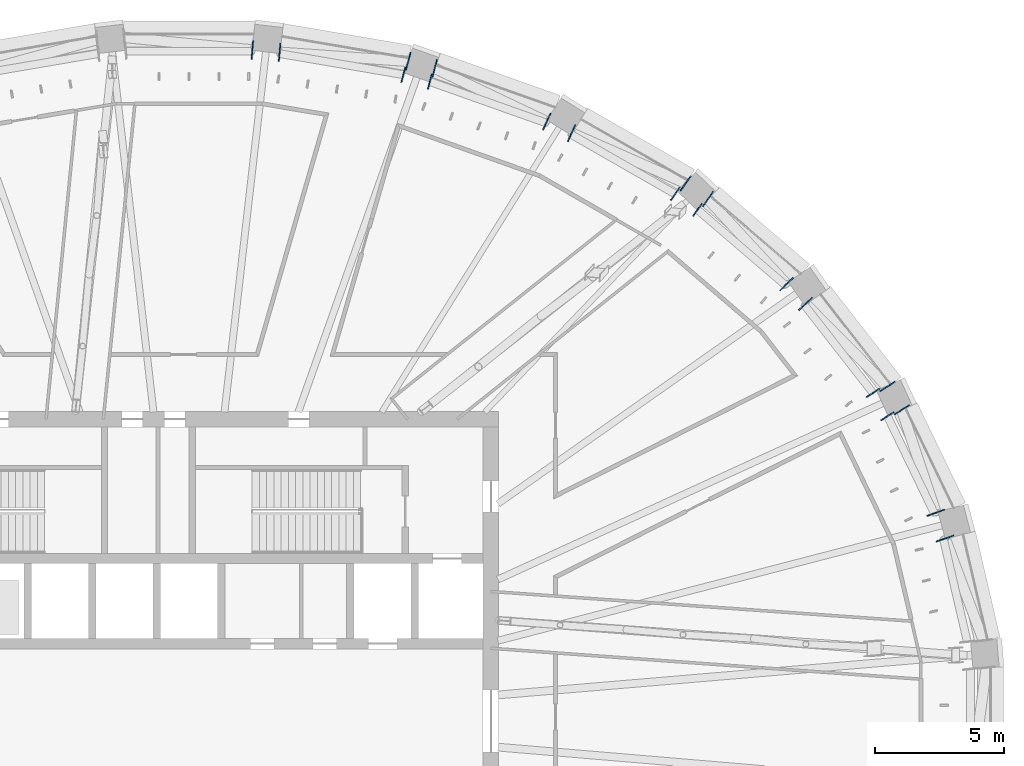
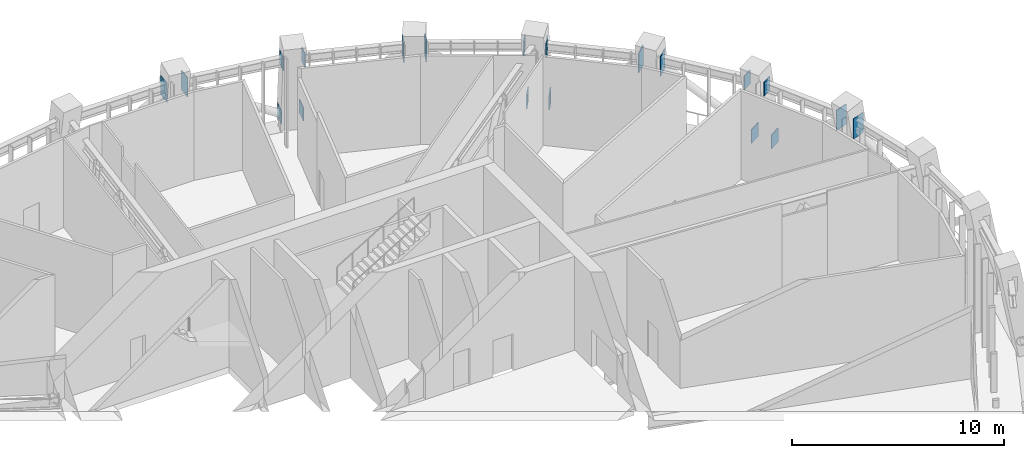
# One storey, part 15 of 20: 20 discrete accessories.
"""IFC4 building model written with IfcOpenShell, lengths in metres."""

from ifc_helpers import new_model, si_unit, direction, frame, origin, origin_2d, place, context, subcontext, project, spatial, rectangle, extrude, material, layer, layer_set, type_object, element, save


model = new_model("IFC4")

# Units and contexts
model_context = context("Model", 3, precision=1e-05, world=origin(), true_north=direction((0.0, 1.0)))
body_context = subcontext(model_context, "Body", "Model", "MODEL_VIEW")
ifc_project = project(units=[si_unit("LENGTHUNIT", "METRE"), si_unit("AREAUNIT", "SQUARE_METRE"), si_unit("VOLUMEUNIT", "CUBIC_METRE"), si_unit("PLANEANGLEUNIT", "RADIAN"), si_unit("MASSUNIT", "GRAM", prefix="KILO")], contexts=[model_context])

# Site, building, storey
site_placement = place(None, origin())
site = spatial("IfcSite", under=ifc_project, at=site_placement, CompositionType="ELEMENT")
building_placement = place(site_placement, origin())
building = spatial("IfcBuilding", under=site, at=building_placement, Name="Halqa Exchange Tower", CompositionType="ELEMENT")
storey_placement = place(building_placement, frame((0.0, 0.0, 250.89990234375)))
storey = spatial("IfcBuildingStorey", under=building, at=storey_placement, Name="L58", CompositionType="ELEMENT", Elevation=250.89990234375)

# Discrete accessories
ifc_material = material(Name="Steel S355", Category="steel")
ifc_layer = layer(ifc_material, 0.0400390625)
ifc_layer_set = layer_set([ifc_layer], Name="Steel S355")
discrete_accessory_type = type_object("IfcDiscreteAccessoryType", Name="Belt truss anchor plate 40", PredefinedType="ANCHORPLATE", material=ifc_layer_set)
discrete_accessory_1_placement = place(storey_placement, frame((28.945556640625, 8.051513671875, 4.06494140625), z_axis=(-0.336336396998, 0.941741911595, 0.0), x_axis=(-0.941741911595, -0.336336396998, 0.0)))
element("IfcDiscreteAccessory", 1, at=discrete_accessory_1_placement, inside=storey, type_object=discrete_accessory_type, Name="Belt truss anchor plate", PredefinedType="ANCHORPLATE", context=body_context, shape_type="SweptSolid", body=[
    extrude(rectangle(XDim=0.719970703125, YDim=1.169921875, at=origin_2d()), origin(), (0.0, 0.0, 1.0), 0.0400390625),
])
discrete_accessory_2_placement = place(storey_placement, frame((29.285400390625, 7.089599609375, 4.06591796875), z_axis=(0.330896267797, -0.943667134088, 0.0), x_axis=(0.943667134088, 0.330896267797, 0.0)))
element("IfcDiscreteAccessory", 2, at=discrete_accessory_2_placement, inside=storey, type_object=discrete_accessory_type, Name="Belt truss anchor plate", PredefinedType="ANCHORPLATE", context=body_context, shape_type="SweptSolid", body=[
    extrude(rectangle(XDim=0.720947265625, YDim=1.1689453125, at=origin_2d()), origin(), (0.0, 0.0, 1.0), 0.039794921875),
])
discrete_accessory_3_placement = place(storey_placement, frame((26.514892578125, 12.696533203125, 4.25), z_axis=(-0.530546985787, 0.847655529016, 0.0), x_axis=(-0.847655529016, -0.530546985787, 0.0)))
element("IfcDiscreteAccessory", 3, at=discrete_accessory_3_placement, inside=storey, type_object=discrete_accessory_type, Name="Belt truss anchor plate", PredefinedType="ANCHORPLATE", context=body_context, shape_type="SweptSolid", body=[
    extrude(rectangle(XDim=0.60009765625, YDim=0.800048828125, at=origin_2d()), origin(), (0.0, 0.0, 1.0), 0.0400390625),
])
discrete_accessory_4_placement = place(storey_placement, frame((27.05322265625, 11.830078125, 4.25), z_axis=(0.533300923376, -0.845925602596, 0.0), x_axis=(0.845925602596, 0.533300923376, 0.0)))
element("IfcDiscreteAccessory", 4, at=discrete_accessory_4_placement, inside=storey, type_object=discrete_accessory_type, Name="Belt truss anchor plate", PredefinedType="ANCHORPLATE", context=body_context, shape_type="SweptSolid", body=[
    extrude(rectangle(XDim=0.60009765625, YDim=0.800048828125, at=origin_2d()), origin(), (0.0, 0.0, 1.0), 0.039794921875),
])
discrete_accessory_5_placement = place(storey_placement, frame((27.0791015625, 12.947021484375, 0.859619140625), z_axis=(-0.530546985787, 0.847655529016, 0.0), x_axis=(-0.847655529016, -0.530546985787, 0.0)))
element("IfcDiscreteAccessory", 5, at=discrete_accessory_5_placement, inside=storey, type_object=discrete_accessory_type, Name="Belt truss anchor plate", PredefinedType="ANCHORPLATE", context=body_context, shape_type="SweptSolid", body=[
    extrude(rectangle(XDim=0.694091796875, YDim=0.7900390625, at=origin_2d()), origin(), (0.0, 0.0, 1.0), 0.0400390625),
])
discrete_accessory_6_placement = place(storey_placement, frame((27.615478515625, 12.07958984375, 0.88232421875), z_axis=(0.530546985787, -0.847655529016, 0.0), x_axis=(0.847655529016, 0.530546985787, 0.0)))
element("IfcDiscreteAccessory", 6, at=discrete_accessory_6_placement, inside=storey, type_object=discrete_accessory_type, Name="Belt truss anchor plate", PredefinedType="ANCHORPLATE", context=body_context, shape_type="SweptSolid", body=[
    extrude(rectangle(XDim=0.68603515625, YDim=0.799072265625, at=origin_2d()), origin(), (0.0, 0.0, 1.0), 0.0400390625),
])
discrete_accessory_7_placement = place(storey_placement, frame((23.16845703125, 16.9150390625, 4.07666015625), z_axis=(-0.691639439628, 0.722242954656, 0.0), x_axis=(-0.722242954656, -0.691639439628, 0.0)))
element("IfcDiscreteAccessory", 7, at=discrete_accessory_7_placement, inside=storey, type_object=discrete_accessory_type, Name="Belt truss anchor plate", PredefinedType="ANCHORPLATE", context=body_context, shape_type="SweptSolid", body=[
    extrude(rectangle(XDim=0.712890625, YDim=1.14697265625, at=origin_2d()), origin(), (0.0, 0.0, 1.0), 0.039794921875),
])
discrete_accessory_8_placement = place(storey_placement, frame((23.873291015625, 16.177734375, 4.07763671875), z_axis=(0.68858929503, -0.725151558483, 0.0), x_axis=(0.725151558483, 0.68858929503, 0.0)))
element("IfcDiscreteAccessory", 8, at=discrete_accessory_8_placement, inside=storey, type_object=discrete_accessory_type, Name="Belt truss anchor plate", PredefinedType="ANCHORPLATE", context=body_context, shape_type="SweptSolid", body=[
    extrude(rectangle(XDim=0.715087890625, YDim=1.14501953125, at=origin_2d()), origin(), (0.0, 0.0, 1.0), 0.0400390625),
])
for number, where, z_axis, x_axis, name in (
    (9, (18.855224609375, 20.41162109375, 4.25), (-0.815785116082, 0.57835511961, 0.0), (-0.57835511961, -0.815785116082, 0.0), "Belt truss anchor plate"),
    (10, (19.688720703125, 19.823486328125, 4.25), (0.81865747399, -0.57428210862, 0.0), (0.57428210862, 0.81865747399, 0.0), "Belt truss anchor plate"),
):
    element("IfcDiscreteAccessory", number, at=place(storey_placement, frame(where, z_axis=z_axis, x_axis=x_axis)), inside=storey, type_object=discrete_accessory_type, Name=name, PredefinedType="ANCHORPLATE", context=body_context, shape_type="SweptSolid", body=[
        extrude(rectangle(XDim=0.60009765625, YDim=0.800048828125, at=origin_2d()), origin(), (0.0, 0.0, 1.0), 0.0400390625),
    ])
discrete_accessory_9_placement = place(storey_placement, frame((19.263427734375, 20.825927734375, 0.8388671875), z_axis=(-0.81865747399, 0.57428210862, 0.0), x_axis=(-0.57428210862, -0.81865747399, 0.0)))
element("IfcDiscreteAccessory", 11, at=discrete_accessory_9_placement, inside=storey, type_object=discrete_accessory_type, Name="Belt truss anchor plate", PredefinedType="ANCHORPLATE", context=body_context, shape_type="SweptSolid", body=[
    extrude(rectangle(XDim=0.7060546875, YDim=0.781982421875, at=origin_2d()), origin(), (0.0, 0.0, 1.0), 0.0400390625),
])
discrete_accessory_10_placement = place(storey_placement, frame((20.095703125, 20.236083984375, 0.85986328125), z_axis=(0.81865747399, -0.57428210862, 0.0), x_axis=(0.57428210862, 0.81865747399, 0.0)))
element("IfcDiscreteAccessory", 12, at=discrete_accessory_10_placement, inside=storey, type_object=discrete_accessory_type, Name="Belt truss anchor plate", PredefinedType="ANCHORPLATE", context=body_context, shape_type="SweptSolid", body=[
    extrude(rectangle(XDim=0.699951171875, YDim=0.7900390625, at=origin_2d()), origin(), (0.0, 0.0, 1.0), 0.0400390625),
])
discrete_accessory_11_placement = place(storey_placement, frame((13.880859375, 23.217041015625, 4.087890625), z_axis=(-0.9097381412, 0.415182507393, 0.0), x_axis=(-0.415182507393, -0.9097381412, 0.0)))
element("IfcDiscreteAccessory", 13, at=discrete_accessory_11_placement, inside=storey, type_object=discrete_accessory_type, Name="Belt truss anchor plate", PredefinedType="ANCHORPLATE", context=body_context, shape_type="SweptSolid", body=[
    extrude(rectangle(XDim=0.70703125, YDim=1.125, at=origin_2d()), origin(), (0.0, 0.0, 1.0), 0.0400390625),
])
discrete_accessory_12_placement = place(storey_placement, frame((14.807861328125, 22.791748046875, 4.088623046875), z_axis=(0.9097381412, -0.415182507393, 0.0), x_axis=(0.415182507393, 0.9097381412, 0.0)))
element("IfcDiscreteAccessory", 14, at=discrete_accessory_12_placement, inside=storey, type_object=discrete_accessory_type, Name="Belt truss anchor plate", PredefinedType="ANCHORPLATE", context=body_context, shape_type="SweptSolid", body=[
    extrude(rectangle(XDim=0.7080078125, YDim=1.123046875, at=origin_2d()), origin(), (0.0, 0.0, 1.0), 0.0400390625),
])
discrete_accessory_13_placement = place(storey_placement, frame((8.32666015625, 25.039306640625, 4.25), z_axis=(-0.968324838627, 0.249693826313, 0.0), x_axis=(-0.249693826313, -0.968324838627, 0.0)))
element("IfcDiscreteAccessory", 15, at=discrete_accessory_13_placement, inside=storey, type_object=discrete_accessory_type, Name="Belt truss anchor plate", PredefinedType="ANCHORPLATE", context=body_context, shape_type="SweptSolid", body=[
    extrude(rectangle(XDim=0.60009765625, YDim=0.800048828125, at=origin_2d()), origin(), (0.0, 0.0, 1.0), 0.0400390625),
])
discrete_accessory_14_placement = place(storey_placement, frame((9.313720703125, 24.781982421875, 4.25), z_axis=(0.967941754644, -0.251174759116, 0.0), x_axis=(0.251174759116, 0.967941754644, 0.0)))
element("IfcDiscreteAccessory", 16, at=discrete_accessory_14_placement, inside=storey, type_object=discrete_accessory_type, Name="Belt truss anchor plate", PredefinedType="ANCHORPLATE", context=body_context, shape_type="SweptSolid", body=[
    extrude(rectangle(XDim=0.60009765625, YDim=0.800048828125, at=origin_2d()), origin(), (0.0, 0.0, 1.0), 0.039794921875),
])
discrete_accessory_15_placement = place(storey_placement, frame((8.514892578125, 25.55859375, 0.828125), z_axis=(-0.967941754644, 0.251174759116, 0.0), x_axis=(-0.251174759116, -0.967941754644, 0.0)))
element("IfcDiscreteAccessory", 17, at=discrete_accessory_15_placement, inside=storey, type_object=discrete_accessory_type, Name="Belt truss anchor plate", PredefinedType="ANCHORPLATE", context=body_context, shape_type="SweptSolid", body=[
    extrude(rectangle(XDim=0.7060546875, YDim=0.778076171875, at=origin_2d()), origin(), (0.0, 0.0, 1.0), 0.039794921875),
])
discrete_accessory_16_placement = place(storey_placement, frame((9.501220703125, 25.298583984375, 0.839599609375), z_axis=(0.966837822169, -0.255391122837, 0.0), x_axis=(0.255391122837, 0.966837822169, 0.0)))
element("IfcDiscreteAccessory", 18, at=discrete_accessory_16_placement, inside=storey, type_object=discrete_accessory_type, Name="Belt truss anchor plate", PredefinedType="ANCHORPLATE", context=body_context, shape_type="SweptSolid", body=[
    extrude(rectangle(XDim=0.7060546875, YDim=0.781982421875, at=origin_2d()), origin(), (0.0, 0.0, 1.0), 0.0400390625),
])
for number, where, z_axis, x_axis, name in (
    (19, (2.474365234375, 26.001708984375, 4.093994140625), (-0.996331773833, 0.085574508182, 0.0), (-0.085574508182, -0.996331773833, 0.0), "Belt truss anchor plate"),
    (20, (3.49072265625, 25.916015625, 4.093994140625), (0.996331773833, -0.085574508182, 0.0), (0.085574508182, 0.996331773833, 0.0), "Belt truss anchor plate"),
):
    element("IfcDiscreteAccessory", number, at=place(storey_placement, frame(where, z_axis=z_axis, x_axis=x_axis)), inside=storey, type_object=discrete_accessory_type, Name=name, PredefinedType="ANCHORPLATE", context=body_context, shape_type="SweptSolid", body=[
        extrude(rectangle(XDim=0.7060546875, YDim=1.112060546875, at=origin_2d()), origin(), (0.0, 0.0, 1.0), 0.0400390625),
    ])

save(model, "model.ifc")
